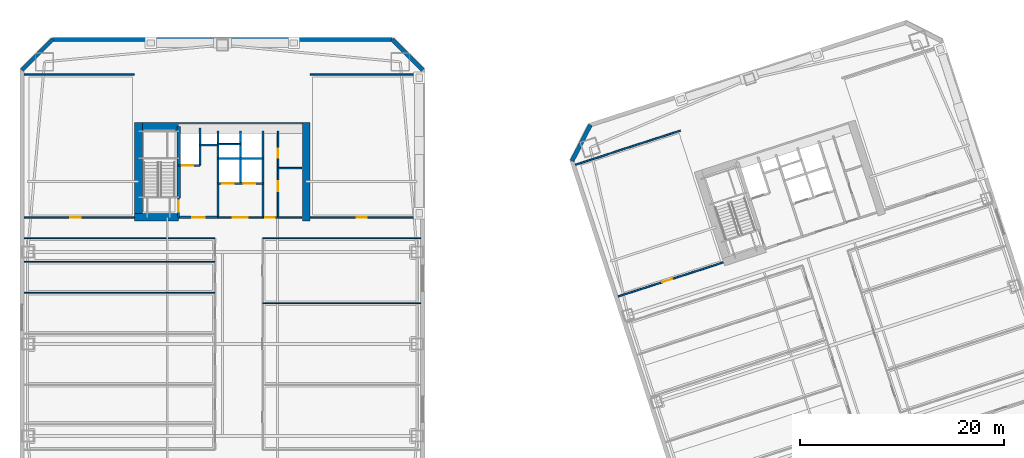
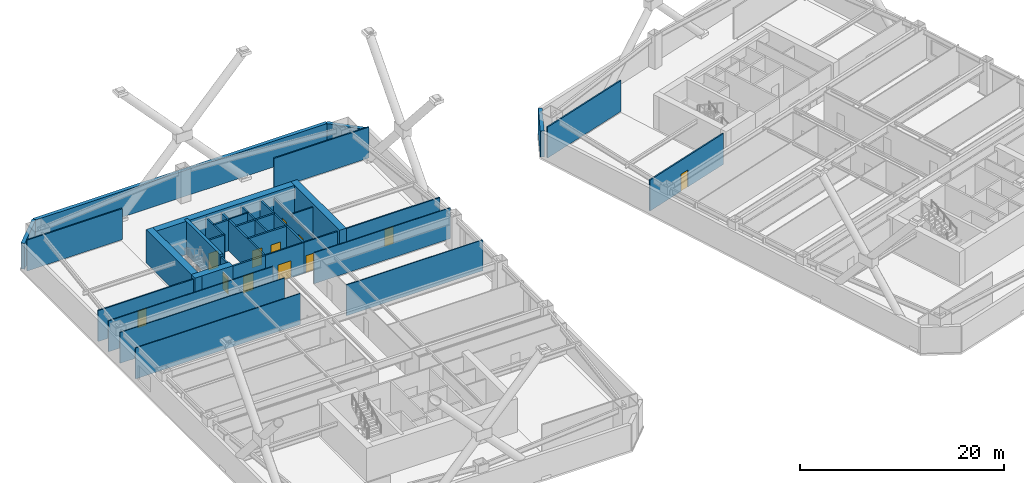
# One storey, part 6 of 18: 35 walls, 12 doors, 12 openings.
"""IFC4 building model written with IfcOpenShell, lengths in metres."""

from ifc_helpers import new_model, si_unit, direction, frame, frame_2d, origin, place, context, subcontext, project, spatial, rectangle, extrude, material, layer, layer_set, type_object, element, fill, save


model = new_model("IFC4")

# Units and contexts
model_context = context("Model", 3, precision=1e-05, world=origin(), true_north=direction((0.0, 1.0)))
body_context = subcontext(model_context, "Body", "Model", "MODEL_VIEW")
ifc_project = project(units=[si_unit("LENGTHUNIT", "METRE"), si_unit("AREAUNIT", "SQUARE_METRE"), si_unit("VOLUMEUNIT", "CUBIC_METRE"), si_unit("PLANEANGLEUNIT", "RADIAN"), si_unit("MASSUNIT", "GRAM", prefix="KILO")], contexts=[model_context])

# Site, building, storey
site_placement = place(None, origin())
site = spatial("IfcSite", under=ifc_project, at=site_placement, CompositionType="ELEMENT")
building_placement = place(site_placement, origin())
building = spatial("IfcBuilding", under=site, at=building_placement, Name="Qiaolan Cultural Towers", CompositionType="ELEMENT")
storey_placement = place(building_placement, frame((0.0, 0.0, 42.0)))
storey = spatial("IfcBuildingStorey", under=building, at=storey_placement, Name="L09", CompositionType="ELEMENT", Elevation=42.0)

# Walls
ifc_material_1 = material(Name="Concrete C50", Category="concrete")
ifc_layer_1 = layer(ifc_material_1, 0.35009765625)
ifc_layer_set_1 = layer_set([ifc_layer_1], Name="Concrete C50")
wall_type_1 = type_object("IfcWallType", Name="WL-CORE-350", PredefinedType="SHEAR", material=ifc_layer_set_1)
wall_1_placement = place(storey_placement, frame((25.719970703125, 48.300048828125, 0.0), z_axis=(0.0, 0.0, 1.0), x_axis=(0.0, 1.0, 0.0)))
element("IfcWall", 1, at=wall_1_placement, inside=storey, type_object=wall_type_1, Name="L09 T1-CN Stair Core Dividing Web", PredefinedType="SHEAR", context=body_context, shape_type="SweptSolid", body=[
    extrude(rectangle(XDim=6.97998046875, YDim=0.35009765625, at=frame_2d((3.489990234375, 0.0))), origin(), (0.0, 0.0, 1.0), 4.0),
])
ifc_material_2 = material(Name="Concrete C60", Category="concrete")
ifc_layer_2 = layer(ifc_material_2, 0.75)
ifc_layer_set_2 = layer_set([ifc_layer_2], Name="Concrete C60")
wall_type_2 = type_object("IfcWallType", Name="WL-CORE-750", PredefinedType="SHEAR", material=ifc_layer_set_2)
wall_2_placement = place(storey_placement, frame((21.425048828125, 55.280029296875, 0.0), z_axis=(0.0, 0.0, 1.0), x_axis=(1.0, 0.0, 0.0)))
element("IfcWall", 2, at=wall_2_placement, inside=storey, type_object=wall_type_2, Name="L09 T1-CN Outer Core Shear Wall", PredefinedType="SHEAR", context=body_context, shape_type="SweptSolid", body=[
    extrude(rectangle(XDim=17.14990234375, YDim=0.75, at=frame_2d((8.574951171875, 0.0))), origin(), (0.0, 0.0, 1.0), 4.0),
])
for number, where, z_axis, x_axis, name in (
    (3, (21.800048828125, 46.02490234375, 0.0), (0.0, 0.0, 1.0), (0.0, 1.0, 0.0), "L09 T1-CN West Core Shear Wall"),
    (4, (38.199951171875, 46.02490234375, 0.0), (0.0, 0.0, 1.0), (0.0, 1.0, 0.0), "L09 T1-CN East Core Shear Wall"),
):
    element("IfcWall", number, at=place(storey_placement, frame(where, z_axis=z_axis, x_axis=x_axis)), inside=storey, type_object=wall_type_2, Name=name, PredefinedType="SHEAR", context=body_context, shape_type="SweptSolid", body=[
        extrude(rectangle(XDim=9.630126953125, YDim=0.75, at=frame_2d((4.81494140625, 0.0))), origin(), (0.0, 0.0, 1.0), 4.0),
    ])
wall_3_placement = place(storey_placement, frame((21.425048828125, 46.39990234375, 0.0), z_axis=(0.0, 0.0, 1.0), x_axis=(1.0, 0.0, 0.0)))
element("IfcWall", 5, at=wall_3_placement, inside=storey, type_object=wall_type_2, Name="L09 T1-CN Stair Front Shear Wall", PredefinedType="SHEAR", context=body_context, shape_type="SweptSolid", body=[
    extrude(rectangle(XDim=4.294921875, YDim=0.75, at=frame_2d((2.1474609375, 0.0))), origin(), (0.0, 0.0, 1.0), 4.0),
])
ifc_material_3 = material(Name="Precast Concrete C50 Honed Stone Pier", Category="masonry")
ifc_layer_3 = layer(ifc_material_3, 0.39990234375)
ifc_layer_set_3 = layer_set([ifc_layer_3], Name="Precast Concrete C50 Honed Stone Pier")
wall_type_3 = type_object("IfcWallType", Name="WL-EXT-PIER-400", PredefinedType="SOLIDWALL", material=ifc_layer_set_3)
wall_4_placement = place(storey_placement, frame((10.39990234375, 60.800048828125, 0.0), z_axis=(0.0, 0.0, 1.0), x_axis=(0.707106781187, 0.707106781187, 0.0)))
element("IfcWall", 6, at=wall_4_placement, inside=storey, type_object=wall_type_3, Name="L09 West Tower Precast Pier Facade Wall F2", PredefinedType="SOLIDWALL", context=body_context, shape_type="SweptSolid", body=[
    extrude(rectangle(XDim=4.24267578125, YDim=0.39990234375, at=frame_2d((2.121337890625, 0.0))), origin(), (0.0, 0.0, 1.0), 3.10009765625),
])
wall_5_placement = place(storey_placement, frame((13.39990234375, 63.800048828125, 0.0), z_axis=(0.0, 0.0, 1.0), x_axis=(1.0, 0.0, 0.0)))
element("IfcWall", 7, at=wall_5_placement, inside=storey, type_object=wall_type_3, Name="L09 West Tower Precast Pier Facade Wall F3", PredefinedType="SOLIDWALL", context=body_context, shape_type="SweptSolid", body=[
    extrude(rectangle(XDim=33.2001953125, YDim=0.39990234375, at=frame_2d((16.60009765625, 0.0))), origin(), (0.0, 0.0, 1.0), 3.10009765625),
])
wall_6_placement = place(storey_placement, frame((46.60009765625, 63.800048828125, 0.0), z_axis=(0.0, 0.0, 1.0), x_axis=(0.707106781187, -0.707106781187, 0.0)))
element("IfcWall", 8, at=wall_6_placement, inside=storey, type_object=wall_type_3, Name="L09 West Tower Precast Pier Facade Wall F4", PredefinedType="SOLIDWALL", context=body_context, shape_type="SweptSolid", body=[
    extrude(rectangle(XDim=4.24267578125, YDim=0.39990234375, at=frame_2d((2.121337890625, 0.0))), origin(), (0.0, 0.0, 1.0), 3.10009765625),
])
wall_7_placement = place(storey_placement, frame((64.20458984375, 51.905029296875, 0.0), z_axis=(0.0, 0.0, 1.0), x_axis=(0.453958106755, 0.891023028497, 0.0)))
element("IfcWall", 9, at=wall_7_placement, inside=storey, type_object=wall_type_3, Name="L09 East Tower Precast Pier Facade Wall F2", PredefinedType="SOLIDWALL", context=body_context, shape_type="SweptSolid", body=[
    extrude(rectangle(XDim=3.9599609375, YDim=0.39990234375, at=frame_2d((1.97998046875, 0.0))), origin(), (0.0, 0.0, 1.0), 3.10009765625),
])

# Wall, opening, door
ifc_material_4 = material(Name="Concrete C35 Fire Wall", Category="concrete")
ifc_layer_4 = layer(ifc_material_4, 0.199951171875)
ifc_layer_set_4 = layer_set([ifc_layer_4], Name="Concrete C35 Fire Wall")
wall_type_4 = type_object("IfcWallType", Name="WL-FIRE-200", PredefinedType="PARTITIONING", material=ifc_layer_set_4)
wall_8_placement = place(storey_placement, frame((25.719970703125, 46.39990234375, 0.0), z_axis=(0.0, 0.0, 1.0), x_axis=(0.0, 1.0, 0.0)))
wall_8 = element("IfcWall", 10, at=wall_8_placement, inside=storey, type_object=wall_type_4, Name="L09 T1-CN Smokeproof Stair Entry Wall", PredefinedType="PARTITIONING", context=body_context, shape_type="SweptSolid", body=[
    extrude(rectangle(XDim=1.900146484375, YDim=0.199951171875, at=frame_2d((0.9501953125, 0.0))), origin(), (0.0, 0.0, 1.0), 3.705078125),
])
opening_1_placement = place(wall_8_placement, frame((0.52001953125, 0.0, 0.0)))
opening_1 = element("IfcOpeningElement", 11, at=opening_1_placement, cuts=wall_8, Name="Opening FD-04", PredefinedType="OPENING", context=body_context, shape_type="SweptSolid", body=[
    extrude(rectangle(XDim=1.10009765625, YDim=2.050048828125, at=frame_2d((0.550048828125, 1.02490234375))), frame((0.0, 0.10986328125, 0.0), z_axis=(0.0, -1.0, 0.0), x_axis=(1.0, 0.0, 0.0)), (0.0, 0.0, 1.0), 0.219970703125),
])
ifc_material_5 = material(Name="Galvanized Steel Command Fire Door", Category="steel")
door_type_1 = type_object("IfcDoorType", Name="DR-FD90-1100", OperationType="NOTDEFINED", PredefinedType="DOOR", material=ifc_material_5)
door_1_placement = place(opening_1_placement, origin())
door_1 = element("IfcDoor", 12, at=door_1_placement, inside=storey, type_object=door_type_1, Name="L09 ST-W2 Smokeproof Stair Fire Door", OperationType="SINGLE_SWING_LEFT", OverallHeight=2.050048828125, OverallWidth=1.10009765625, PredefinedType="DOOR", context=body_context, shape_type="SweptSolid", body=[
    extrude(rectangle(XDim=1.10009765625, YDim=2.050048828125, at=frame_2d((0.550048828125, 1.02490234375))), frame((0.0, 0.02490234375, 0.0), z_axis=(0.0, -1.0, 0.0), x_axis=(1.0, 0.0, 0.0)), (0.0, 0.0, 1.0), 0.050048828125),
])
fill(opening_1, door_1)

# Wall
wall_9_placement = place(storey_placement, frame((29.550048828125, 46.39990234375, 0.0), z_axis=(0.0, 0.0, 1.0), x_axis=(0.0, 1.0, 0.0)))
element("IfcWall", 13, at=wall_9_placement, inside=storey, type_object=wall_type_4, Name="L09 T1-CN Firefighting Zone Wall", PredefinedType="PARTITIONING", context=body_context, shape_type="SweptSolid", body=[
    extrude(rectangle(XDim=8.43017578125, YDim=0.199951171875, at=frame_2d((4.215087890625, 0.0))), origin(), (0.0, 0.0, 1.0), 3.705078125),
])

# Wall, opening, door
wall_10_placement = place(storey_placement, frame((25.719970703125, 46.39990234375, 0.0), z_axis=(0.0, 0.0, 1.0), x_axis=(1.0, 0.0, 0.0)))
wall_10 = element("IfcWall", 14, at=wall_10_placement, inside=storey, type_object=wall_type_4, Name="L09 T1-CN Firefighting Lobby Front Wall", PredefinedType="PARTITIONING", context=body_context, shape_type="SweptSolid", body=[
    extrude(rectangle(XDim=3.830078125, YDim=0.199951171875, at=frame_2d((1.9150390625, 0.0))), origin(), (0.0, 0.0, 1.0), 3.705078125),
])
opening_2_placement = place(wall_10_placement, frame((1.35009765625, 0.0, 0.0)))
opening_2 = element("IfcOpeningElement", 15, at=opening_2_placement, cuts=wall_10, Name="Opening FD-03", PredefinedType="OPENING", context=body_context, shape_type="SweptSolid", body=[
    extrude(rectangle(XDim=1.199951171875, YDim=2.050048828125, at=frame_2d((0.60009765625, 1.02490234375))), frame((0.0, 0.10986328125, 0.0), z_axis=(0.0, -1.0, 0.0), x_axis=(1.0, 0.0, 0.0)), (0.0, 0.0, 1.0), 0.219970703125),
])
ifc_material_6 = material(Name="Galvanized Steel Smokeproof Lobby Fire Door", Category="steel")
door_type_2 = type_object("IfcDoorType", Name="DR-FD90-1200", OperationType="NOTDEFINED", PredefinedType="DOOR", material=ifc_material_6)
door_2_placement = place(opening_2_placement, origin())
door_2 = element("IfcDoor", 16, at=door_2_placement, inside=storey, type_object=door_type_2, Name="L09 FFL-W2 Firefighting Lobby Fire Door", OperationType="SINGLE_SWING_LEFT", OverallHeight=2.050048828125, OverallWidth=1.199951171875, PredefinedType="DOOR", context=body_context, shape_type="SweptSolid", body=[
    extrude(rectangle(XDim=1.199951171875, YDim=2.050048828125, at=frame_2d((0.60009765625, 1.02490234375))), frame((0.0, 0.02490234375, 0.0), z_axis=(0.0, -1.0, 0.0), x_axis=(1.0, 0.0, 0.0)), (0.0, 0.0, 1.0), 0.050048828125),
])
fill(opening_2, door_2)

wall_11_placement = place(storey_placement, frame((25.719970703125, 51.449951171875, 0.0), z_axis=(0.0, 0.0, 1.0), x_axis=(1.0, 0.0, 0.0)))
wall_11 = element("IfcWall", 17, at=wall_11_placement, inside=storey, type_object=wall_type_4, Name="L09 T1-CN Firefighting Shaft Front Wall", PredefinedType="PARTITIONING", context=body_context, shape_type="SweptSolid", body=[
    extrude(rectangle(XDim=2.10009765625, YDim=0.199951171875, at=frame_2d((1.050048828125, 0.0))), origin(), (0.0, 0.0, 1.0), 3.705078125),
])
opening_3_placement = place(wall_11_placement, frame((0.35009765625, 0.0, 0.0)))
opening_3 = element("IfcOpeningElement", 18, at=opening_3_placement, cuts=wall_11, Name="Opening LD-01", PredefinedType="OPENING", context=body_context, shape_type="SweptSolid", body=[
    extrude(rectangle(XDim=1.10009765625, YDim=2.050048828125, at=frame_2d((0.550048828125, 1.02490234375))), frame((0.0, 0.10986328125, 0.0), z_axis=(0.0, -1.0, 0.0), x_axis=(1.0, 0.0, 0.0)), (0.0, 0.0, 1.0), 0.219970703125),
])
ifc_material_7 = material(Name="Brushed Stainless Steel S30408 Centre-Parting Lift Landing Door", Category="steel")
door_type_3 = type_object("IfcDoorType", Name="DR-LIFT-1100", OperationType="NOTDEFINED", PredefinedType="DOOR", material=ifc_material_7)
door_3_placement = place(opening_3_placement, origin())
door_3 = element("IfcDoor", 19, at=door_3_placement, inside=storey, type_object=door_type_3, Name="L09 FFL-W2 Firefighting Lift Landing Door", OperationType="DOUBLE_DOOR_SLIDING", OverallHeight=2.050048828125, OverallWidth=1.10009765625, PredefinedType="DOOR", context=body_context, shape_type="SweptSolid", body=[
    extrude(rectangle(XDim=1.10009765625, YDim=2.050048828125, at=frame_2d((0.550048828125, 1.02490234375))), frame((0.0, 0.02490234375, 0.0), z_axis=(0.0, -1.0, 0.0), x_axis=(1.0, 0.0, 0.0)), (0.0, 0.0, 1.0), 0.050048828125),
])
fill(opening_3, door_3)

# Walls
wall_12_placement = place(storey_placement, frame((27.820068359375, 51.449951171875, 0.0), z_axis=(0.0, 0.0, 1.0), x_axis=(0.0, 1.0, 0.0)))
element("IfcWall", 20, at=wall_12_placement, inside=storey, type_object=wall_type_4, Name="L09 T1-CN Firefighting Hoistway East Wall", PredefinedType="PARTITIONING", context=body_context, shape_type="SweptSolid", body=[
    extrude(rectangle(XDim=3.699951171875, YDim=0.199951171875, at=frame_2d((1.85009765625, 0.0))), origin(), (0.0, 0.0, 1.0), 3.705078125),
])
wall_13_placement = place(storey_placement, frame((27.820068359375, 53.47998046875, 0.0), z_axis=(0.0, 0.0, 1.0), x_axis=(1.0, 0.0, 0.0)))
element("IfcWall", 21, at=wall_13_placement, inside=storey, type_object=wall_type_4, Name="L09 T1-CN Pressurization Shaft Front Wall", PredefinedType="PARTITIONING", context=body_context, shape_type="SweptSolid", body=[
    extrude(rectangle(XDim=1.72998046875, YDim=0.199951171875, at=frame_2d((0.864990234375, 0.0))), origin(), (0.0, 0.0, 1.0), 3.705078125),
])
wall_14_placement = place(storey_placement, frame((33.949951171875, 46.39990234375, 0.0), z_axis=(0.0, 0.0, 1.0), x_axis=(0.0, 1.0, 0.0)))
element("IfcWall", 22, at=wall_14_placement, inside=storey, type_object=wall_type_4, Name="L09 T1-CN Lift Core East Wall", PredefinedType="PARTITIONING", context=body_context, shape_type="SweptSolid", body=[
    extrude(rectangle(XDim=8.43017578125, YDim=0.199951171875, at=frame_2d((4.215087890625, 0.0))), origin(), (0.0, 0.0, 1.0), 3.705078125),
])

# Wall, openings, doors
wall_15_placement = place(storey_placement, frame((29.550048828125, 49.719970703125, 0.0), z_axis=(0.0, 0.0, 1.0), x_axis=(1.0, 0.0, 0.0)))
wall_15 = element("IfcWall", 23, at=wall_15_placement, inside=storey, type_object=wall_type_4, Name="L09 T1-CN Passenger Lift Shaft Front Wall", PredefinedType="PARTITIONING", context=body_context, shape_type="SweptSolid", body=[
    extrude(rectangle(XDim=4.39990234375, YDim=0.199951171875, at=frame_2d((2.199951171875, 0.0))), origin(), (0.0, 0.0, 1.0), 3.705078125),
])
opening_4_placement = place(wall_15_placement, frame((0.449951171875, 0.0, 0.0)))
opening_4 = element("IfcOpeningElement", 24, at=opening_4_placement, cuts=wall_15, Name="Opening LD-01", PredefinedType="OPENING", context=body_context, shape_type="SweptSolid", body=[
    extrude(rectangle(XDim=1.10009765625, YDim=2.050048828125, at=frame_2d((0.550048828125, 1.02490234375))), frame((0.0, 0.10986328125, 0.0), z_axis=(0.0, -1.0, 0.0), x_axis=(1.0, 0.0, 0.0)), (0.0, 0.0, 1.0), 0.219970703125),
])
opening_5_placement = place(wall_15_placement, frame((2.550048828125, 0.0, 0.0)))
opening_5 = element("IfcOpeningElement", 25, at=opening_5_placement, cuts=wall_15, Name="Opening LD-01", PredefinedType="OPENING", context=body_context, shape_type="SweptSolid", body=[
    extrude(rectangle(XDim=1.10009765625, YDim=2.050048828125, at=frame_2d((0.550048828125, 1.02490234375))), frame((0.0, 0.10986328125, 0.0), z_axis=(0.0, -1.0, 0.0), x_axis=(1.0, 0.0, 0.0)), (0.0, 0.0, 1.0), 0.219970703125),
])
door_4_placement = place(opening_4_placement, origin())
door_4 = element("IfcDoor", 26, at=door_4_placement, inside=storey, type_object=door_type_3, Name="L09 Passenger Lift 1 Landing Door", OperationType="DOUBLE_DOOR_SLIDING", OverallHeight=2.050048828125, OverallWidth=1.10009765625, PredefinedType="DOOR", context=body_context, shape_type="SweptSolid", body=[
    extrude(rectangle(XDim=1.10009765625, YDim=2.050048828125, at=frame_2d((0.550048828125, 1.02490234375))), frame((0.0, 0.02490234375, 0.0), z_axis=(0.0, -1.0, 0.0), x_axis=(1.0, 0.0, 0.0)), (0.0, 0.0, 1.0), 0.050048828125),
])
fill(opening_4, door_4)
door_5_placement = place(opening_5_placement, origin())
door_5 = element("IfcDoor", 27, at=door_5_placement, inside=storey, type_object=door_type_3, Name="L09 Passenger Lift 2 Landing Door", OperationType="DOUBLE_DOOR_SLIDING", OverallHeight=2.050048828125, OverallWidth=1.10009765625, PredefinedType="DOOR", context=body_context, shape_type="SweptSolid", body=[
    extrude(rectangle(XDim=1.10009765625, YDim=2.050048828125, at=frame_2d((0.550048828125, 1.02490234375))), frame((0.0, 0.02490234375, 0.0), z_axis=(0.0, -1.0, 0.0), x_axis=(1.0, 0.0, 0.0)), (0.0, 0.0, 1.0), 0.050048828125),
])
fill(opening_5, door_5)

# Walls
wall_16_placement = place(storey_placement, frame((31.780029296875, 49.719970703125, 0.0), z_axis=(0.0, 0.0, 1.0), x_axis=(0.0, 1.0, 0.0)))
element("IfcWall", 28, at=wall_16_placement, inside=storey, type_object=wall_type_4, Name="L09 T1-CN Lift Shaft Divider Wall", PredefinedType="PARTITIONING", context=body_context, shape_type="SweptSolid", body=[
    extrude(rectangle(XDim=5.110107421875, YDim=0.199951171875, at=frame_2d((2.55517578125, 0.0))), origin(), (0.0, 0.0, 1.0), 3.705078125),
])
wall_17_placement = place(storey_placement, frame((29.550048828125, 52.14990234375, 0.0), z_axis=(0.0, 0.0, 1.0), x_axis=(1.0, 0.0, 0.0)))
element("IfcWall", 29, at=wall_17_placement, inside=storey, type_object=wall_type_4, Name="L09 T1-CN Passenger Lift Shaft Back Wall", PredefinedType="PARTITIONING", context=body_context, shape_type="SweptSolid", body=[
    extrude(rectangle(XDim=4.39990234375, YDim=0.199951171875, at=frame_2d((2.199951171875, 0.0))), origin(), (0.0, 0.0, 1.0), 3.705078125),
])
ifc_material_8 = material(Name="Acoustic Double-Glazed Partition Frame", Category="glass")
ifc_layer_5 = layer(ifc_material_8, 0.10009765625)
ifc_layer_set_5 = layer_set([ifc_layer_5], Name="Acoustic Double-Glazed Partition Frame")
wall_type_5 = type_object("IfcWallType", Name="WL-GLAZED-100", PredefinedType="MOVABLE", material=ifc_layer_set_5)
wall_18_placement = place(storey_placement, frame((10.60009765625, 44.35009765625, 0.0), z_axis=(0.0, 0.0, 1.0), x_axis=(1.0, 0.0, 0.0)))
element("IfcWall", 30, at=wall_18_placement, inside=storey, type_object=wall_type_5, Name="L09 T1 North Corridor Left Wall", PredefinedType="MOVABLE", context=body_context, shape_type="SweptSolid", body=[
    extrude(rectangle(XDim=18.6748046875, YDim=0.10009765625, at=frame_2d((9.33740234375, 0.0))), origin(), (0.0, 0.0, 1.0), 3.705078125),
])
wall_19_placement = place(storey_placement, frame((33.925048828125, 44.35009765625, 0.0), z_axis=(0.0, 0.0, 1.0), x_axis=(1.0, 0.0, 0.0)))
element("IfcWall", 31, at=wall_19_placement, inside=storey, type_object=wall_type_5, Name="L09 T1 North Corridor Right Wall", PredefinedType="MOVABLE", context=body_context, shape_type="SweptSolid", body=[
    extrude(rectangle(XDim=15.474853515625, YDim=0.10009765625, at=frame_2d((7.7373046875, 0.0))), origin(), (0.0, 0.0, 1.0), 3.705078125),
])
for number, where, z_axis, x_axis, name in (
    (32, (10.60009765625, 39.0, 0.0), (0.0, 0.0, 1.0), (1.0, 0.0, 0.0), "L09 T1 West Partition 4"),
    (33, (10.60009765625, 42.06591796875, 0.0), (0.0, 0.0, 1.0), (1.0, 0.0, 0.0), "L09 T1 West Partition 5"),
):
    element("IfcWall", number, at=place(storey_placement, frame(where, z_axis=z_axis, x_axis=x_axis)), inside=storey, type_object=wall_type_5, Name=name, PredefinedType="MOVABLE", context=body_context, shape_type="SweptSolid", body=[
        extrude(rectangle(XDim=18.6748046875, YDim=0.10009765625, at=frame_2d((9.33740234375, 0.0))), origin(), (0.0, 0.0, 1.0), 3.705078125),
    ])
wall_20_placement = place(storey_placement, frame((33.925048828125, 38.0, 0.0), z_axis=(0.0, 0.0, 1.0), x_axis=(1.0, 0.0, 0.0)))
element("IfcWall", 34, at=wall_20_placement, inside=storey, type_object=wall_type_5, Name="L09 T1 East Partition 2", PredefinedType="MOVABLE", context=body_context, shape_type="SweptSolid", body=[
    extrude(rectangle(XDim=15.474853515625, YDim=0.10009765625, at=frame_2d((7.7373046875, 0.0))), origin(), (0.0, 0.0, 1.0), 3.705078125),
])

# Wall, opening, door
ifc_material_9 = material(Name="Autoclaved Aerated Concrete Block B06", Category="concrete")
ifc_layer_6 = layer(ifc_material_9, 0.14990234375)
ifc_layer_set_6 = layer_set([ifc_layer_6], Name="Autoclaved Aerated Concrete Block B06")
wall_type_6 = type_object("IfcWallType", Name="WL-PART-150", PredefinedType="PARTITIONING", material=ifc_layer_set_6)
wall_21_placement = place(storey_placement, frame((29.550048828125, 46.39990234375, 0.0), z_axis=(0.0, 0.0, 1.0), x_axis=(1.0, 0.0, 0.0)))
wall_21 = element("IfcWall", 35, at=wall_21_placement, inside=storey, type_object=wall_type_6, Name="L09 T1-CN Passenger Lift Lobby Front Wall", PredefinedType="PARTITIONING", context=body_context, shape_type="SweptSolid", body=[
    extrude(rectangle(XDim=4.39990234375, YDim=0.14990234375, at=frame_2d((2.199951171875, 0.0))), origin(), (0.0, 0.0, 1.0), 3.705078125),
])
opening_6_placement = place(wall_21_placement, frame((1.449951171875, 0.0, 0.0)))
opening_6 = element("IfcOpeningElement", 36, at=opening_6_placement, cuts=wall_21, Name="Opening FD-05", PredefinedType="OPENING", context=body_context, shape_type="SweptSolid", body=[
    extrude(rectangle(XDim=1.5, YDim=2.050048828125, at=frame_2d((0.75, 1.02490234375))), frame((0.0, 0.0849609375, 0.0), z_axis=(0.0, -1.0, 0.0), x_axis=(1.0, 0.0, 0.0)), (0.0, 0.0, 1.0), 0.169921875),
])
ifc_material_10 = material(Name="Painted Steel Lift Lobby Fire Door", Category="steel")
door_type_4 = type_object("IfcDoorType", Name="DR-FD60-1500", OperationType="NOTDEFINED", PredefinedType="DOOR", material=ifc_material_10)
door_6_placement = place(opening_6_placement, origin())
door_6 = element("IfcDoor", 37, at=door_6_placement, inside=storey, type_object=door_type_4, Name="L09 Passenger Lift Lobby Entrance", OperationType="SINGLE_SWING_LEFT", OverallHeight=2.050048828125, OverallWidth=1.5, PredefinedType="DOOR", context=body_context, shape_type="SweptSolid", body=[
    extrude(rectangle(XDim=1.5, YDim=2.050048828125, at=frame_2d((0.75, 1.02490234375))), frame((0.0, 0.02490234375, 0.0), z_axis=(0.0, -1.0, 0.0), x_axis=(1.0, 0.0, 0.0)), (0.0, 0.0, 1.0), 0.050048828125),
])
fill(opening_6, door_6)

# Wall
wall_22_placement = place(storey_placement, frame((29.550048828125, 53.550048828125, 0.0), z_axis=(0.0, 0.0, 1.0), x_axis=(1.0, 0.0, 0.0)))
element("IfcWall", 38, at=wall_22_placement, inside=storey, type_object=wall_type_6, Name="L09 T1-CN Core Rear Riser Split", PredefinedType="PARTITIONING", context=body_context, shape_type="SweptSolid", body=[
    extrude(rectangle(XDim=2.22998046875, YDim=0.14990234375, at=frame_2d((1.114990234375, 0.0))), origin(), (0.0, 0.0, 1.0), 3.705078125),
])

# Wall, opening, door
wall_23_placement = place(storey_placement, frame((33.949951171875, 46.39990234375, 0.0), z_axis=(0.0, 0.0, 1.0), x_axis=(1.0, 0.0, 0.0)))
wall_23 = element("IfcWall", 39, at=wall_23_placement, inside=storey, type_object=wall_type_6, Name="L09 T1-CN Sanitary Core Front Wall", PredefinedType="PARTITIONING", context=body_context, shape_type="SweptSolid", body=[
    extrude(rectangle(XDim=3.800048828125, YDim=0.14990234375, at=frame_2d((1.89990234375, 0.0))), origin(), (0.0, 0.0, 1.0), 3.705078125),
])
opening_7_placement = place(wall_23_placement, frame((0.219970703125, 0.0, 0.0)))
opening_7 = element("IfcOpeningElement", 40, at=opening_7_placement, cuts=wall_23, Name="Opening ID-05", PredefinedType="OPENING", context=body_context, shape_type="SweptSolid", body=[
    extrude(rectangle(XDim=0.949951171875, YDim=2.050048828125, at=frame_2d((0.47509765625, 1.02490234375))), frame((0.0, 0.0849609375, 0.0), z_axis=(0.0, -1.0, 0.0), x_axis=(1.0, 0.0, 0.0)), (0.0, 0.0, 1.0), 0.169921875),
])
ifc_material_11 = material(Name="Fire-Rated Laminate Accessible Core Door", Category="timber")
door_type_5 = type_object("IfcDoorType", Name="DR-INT-950", OperationType="NOTDEFINED", PredefinedType="DOOR", material=ifc_material_11)
door_7_placement = place(opening_7_placement, origin())
door_7 = element("IfcDoor", 41, at=door_7_placement, inside=storey, type_object=door_type_5, Name="L09 Sanitary Lobby Door", OperationType="SINGLE_SWING_LEFT", OverallHeight=2.050048828125, OverallWidth=0.949951171875, PredefinedType="DOOR", context=body_context, shape_type="SweptSolid", body=[
    extrude(rectangle(XDim=0.949951171875, YDim=2.050048828125, at=frame_2d((0.47509765625, 1.02490234375))), frame((0.0, 0.02490234375, 0.0), z_axis=(0.0, -1.0, 0.0), x_axis=(1.0, 0.0, 0.0)), (0.0, 0.0, 1.0), 0.050048828125),
])
fill(opening_7, door_7)

# Wall, openings, doors
wall_24_placement = place(storey_placement, frame((35.449951171875, 46.39990234375, 0.0), z_axis=(0.0, 0.0, 1.0), x_axis=(0.0, 1.0, 0.0)))
wall_24 = element("IfcWall", 42, at=wall_24_placement, inside=storey, type_object=wall_type_6, Name="L09 T1-CN Washroom Split Wall", PredefinedType="PARTITIONING", context=body_context, shape_type="SweptSolid", body=[
    extrude(rectangle(XDim=8.43017578125, YDim=0.14990234375, at=frame_2d((4.215087890625, 0.0))), origin(), (0.0, 0.0, 1.0), 3.344970703125),
])
opening_8_placement = place(wall_24_placement, frame((2.550048828125, 0.0, 0.0)))
opening_8 = element("IfcOpeningElement", 43, at=opening_8_placement, cuts=wall_24, Name="Opening ID-05", PredefinedType="OPENING", context=body_context, shape_type="SweptSolid", body=[
    extrude(rectangle(XDim=0.949951171875, YDim=2.050048828125, at=frame_2d((0.47509765625, 1.02490234375))), frame((0.0, 0.0849609375, 0.0), z_axis=(0.0, -1.0, 0.0), x_axis=(1.0, 0.0, 0.0)), (0.0, 0.0, 1.0), 0.169921875),
])
opening_9_placement = place(wall_24_placement, frame((5.800048828125, 0.0, 0.0)))
opening_9 = element("IfcOpeningElement", 44, at=opening_9_placement, cuts=wall_24, Name="Opening ID-06", PredefinedType="OPENING", context=body_context, shape_type="SweptSolid", body=[
    extrude(rectangle(XDim=0.89990234375, YDim=2.050048828125, at=frame_2d((0.449951171875, 1.02490234375))), frame((0.0, 0.0849609375, 0.0), z_axis=(0.0, -1.0, 0.0), x_axis=(1.0, 0.0, 0.0)), (0.0, 0.0, 1.0), 0.169921875),
])
ifc_material_12 = material(Name="Fire-Rated Laminate Core Service Door", Category="timber")
door_type_6 = type_object("IfcDoorType", Name="DR-INT-900", OperationType="NOTDEFINED", PredefinedType="DOOR", material=ifc_material_12)
door_8_placement = place(opening_9_placement, origin())
door_8 = element("IfcDoor", 45, at=door_8_placement, inside=storey, type_object=door_type_6, Name="L09 First-Aid Room Door", OperationType="SINGLE_SWING_RIGHT", OverallHeight=2.050048828125, OverallWidth=0.89990234375, PredefinedType="DOOR", context=body_context, shape_type="SweptSolid", body=[
    extrude(rectangle(XDim=0.89990234375, YDim=2.050048828125, at=frame_2d((0.449951171875, 1.02490234375))), frame((0.0, 0.02490234375, 0.0), z_axis=(0.0, -1.0, 0.0), x_axis=(1.0, 0.0, 0.0)), (0.0, 0.0, 1.0), 0.050048828125),
])
fill(opening_9, door_8)
door_9_placement = place(opening_8_placement, origin())
door_9 = element("IfcDoor", 46, at=door_9_placement, inside=storey, type_object=door_type_5, Name="L09 Accessible Washroom Door", OperationType="SINGLE_SWING_LEFT", OverallHeight=2.050048828125, OverallWidth=0.949951171875, PredefinedType="DOOR", context=body_context, shape_type="SweptSolid", body=[
    extrude(rectangle(XDim=0.949951171875, YDim=2.050048828125, at=frame_2d((0.47509765625, 1.02490234375))), frame((0.0, 0.02490234375, 0.0), z_axis=(0.0, -1.0, 0.0), x_axis=(1.0, 0.0, 0.0)), (0.0, 0.0, 1.0), 0.050048828125),
])
fill(opening_8, door_9)

# Walls
wall_25_placement = place(storey_placement, frame((35.449951171875, 51.199951171875, 0.0), z_axis=(0.0, 0.0, 1.0), x_axis=(1.0, 0.0, 0.0)))
element("IfcWall", 47, at=wall_25_placement, inside=storey, type_object=wall_type_6, Name="L09 T1-CN First-Aid Wall", PredefinedType="PARTITIONING", context=body_context, shape_type="SweptSolid", body=[
    extrude(rectangle(XDim=2.300048828125, YDim=0.14990234375, at=frame_2d((1.14990234375, 0.0))), origin(), (0.0, 0.0, 1.0), 3.705078125),
])
wall_26_placement = place(storey_placement, frame((10.60009765625, 60.35009765625, 0.0), z_axis=(0.0, 0.0, 1.0), x_axis=(1.0, 0.0, 0.0)))
element("IfcWall", 48, at=wall_26_placement, inside=storey, type_object=wall_type_6, Name="L09 T1 Flank Wall FLK-NW", PredefinedType="PARTITIONING", context=body_context, shape_type="SweptSolid", body=[
    extrude(rectangle(XDim=10.7998046875, YDim=0.14990234375, at=frame_2d((5.39990234375, 0.0))), origin(), (0.0, 0.0, 1.0), 3.705078125),
])

# Wall, opening, door
wall_27_placement = place(storey_placement, frame((10.60009765625, 46.39990234375, 0.0), z_axis=(0.0, 0.0, 1.0), x_axis=(1.0, 0.0, 0.0)))
wall_27 = element("IfcWall", 49, at=wall_27_placement, inside=storey, type_object=wall_type_6, Name="L09 T1 Flank Front FLK-NW", PredefinedType="PARTITIONING", context=body_context, shape_type="SweptSolid", body=[
    extrude(rectangle(XDim=10.7998046875, YDim=0.14990234375, at=frame_2d((5.39990234375, 0.0))), origin(), (0.0, 0.0, 1.0), 3.705078125),
])
opening_10_placement = place(wall_27_placement, frame((4.535888671875, 0.0, 0.0)))
opening_10 = element("IfcOpeningElement", 50, at=opening_10_placement, cuts=wall_27, Name="Opening ID-04", PredefinedType="OPENING", context=body_context, shape_type="SweptSolid", body=[
    extrude(rectangle(XDim=1.0, YDim=2.050048828125, at=frame_2d((0.5, 1.02490234375))), frame((0.0, 0.0849609375, 0.0), z_axis=(0.0, -1.0, 0.0), x_axis=(1.0, 0.0, 0.0)), (0.0, 0.0, 1.0), 0.169921875),
])
ifc_material_13 = material(Name="Oak Veneer Acoustic Office Door", Category="timber")
door_type_7 = type_object("IfcDoorType", Name="DR-INT-1000", OperationType="NOTDEFINED", PredefinedType="DOOR", material=ifc_material_13)
door_10_placement = place(opening_10_placement, origin())
door_10 = element("IfcDoor", 51, at=door_10_placement, inside=storey, type_object=door_type_7, Name="L09 T1 Corner Studio Door", OperationType="SINGLE_SWING_LEFT", OverallHeight=2.050048828125, OverallWidth=1.0, PredefinedType="DOOR", context=body_context, shape_type="SweptSolid", body=[
    extrude(rectangle(XDim=1.0, YDim=2.050048828125, at=frame_2d((0.5, 1.02490234375))), frame((0.0, 0.02490234375, 0.0), z_axis=(0.0, -1.0, 0.0), x_axis=(1.0, 0.0, 0.0)), (0.0, 0.0, 1.0), 0.050048828125),
])
fill(opening_10, door_10)

# Wall
wall_28_placement = place(storey_placement, frame((38.60009765625, 60.35009765625, 0.0), z_axis=(0.0, 0.0, 1.0), x_axis=(1.0, 0.0, 0.0)))
element("IfcWall", 52, at=wall_28_placement, inside=storey, type_object=wall_type_6, Name="L09 T1 Flank Wall FLK-NE", PredefinedType="PARTITIONING", context=body_context, shape_type="SweptSolid", body=[
    extrude(rectangle(XDim=10.7998046875, YDim=0.14990234375, at=frame_2d((5.39990234375, 0.0))), origin(), (0.0, 0.0, 1.0), 3.705078125),
])

# Wall, opening, door
wall_29_placement = place(storey_placement, frame((38.60009765625, 46.39990234375, 0.0), z_axis=(0.0, 0.0, 1.0), x_axis=(1.0, 0.0, 0.0)))
wall_29 = element("IfcWall", 53, at=wall_29_placement, inside=storey, type_object=wall_type_6, Name="L09 T1 Flank Front FLK-NE", PredefinedType="PARTITIONING", context=body_context, shape_type="SweptSolid", body=[
    extrude(rectangle(XDim=10.7998046875, YDim=0.14990234375, at=frame_2d((5.39990234375, 0.0))), origin(), (0.0, 0.0, 1.0), 3.705078125),
])
opening_11_placement = place(wall_29_placement, frame((4.535888671875, 0.0, 0.0)))
opening_11 = element("IfcOpeningElement", 54, at=opening_11_placement, cuts=wall_29, Name="Opening ID-04", PredefinedType="OPENING", context=body_context, shape_type="SweptSolid", body=[
    extrude(rectangle(XDim=1.0, YDim=2.050048828125, at=frame_2d((0.5, 1.02490234375))), frame((0.0, 0.0849609375, 0.0), z_axis=(0.0, -1.0, 0.0), x_axis=(1.0, 0.0, 0.0)), (0.0, 0.0, 1.0), 0.169921875),
])
door_11_placement = place(opening_11_placement, origin())
door_11 = element("IfcDoor", 55, at=door_11_placement, inside=storey, type_object=door_type_7, Name="L09 T1 Corner Studio Door", OperationType="SINGLE_SWING_LEFT", OverallHeight=2.050048828125, OverallWidth=1.0, PredefinedType="DOOR", context=body_context, shape_type="SweptSolid", body=[
    extrude(rectangle(XDim=1.0, YDim=2.050048828125, at=frame_2d((0.5, 1.02490234375))), frame((0.0, 0.02490234375, 0.0), z_axis=(0.0, -1.0, 0.0), x_axis=(1.0, 0.0, 0.0)), (0.0, 0.0, 1.0), 0.050048828125),
])
fill(opening_11, door_11)

# Wall
wall_30_placement = place(storey_placement, frame((64.53369140625, 51.538818359375, 0.0), z_axis=(0.0, 0.0, 1.0), x_axis=(0.951056658866, 0.309016555588, 0.0)))
element("IfcWall", 56, at=wall_30_placement, inside=storey, type_object=wall_type_6, Name="L09 T2 Flank Wall FLK-NW", PredefinedType="PARTITIONING", context=body_context, shape_type="SweptSolid", body=[
    extrude(rectangle(XDim=10.800048828125, YDim=0.14990234375, at=frame_2d((5.39990234375, 0.0))), origin(), (0.0, 0.0, 1.0), 3.705078125),
])

# Wall, opening, door
wall_31_placement = place(storey_placement, frame((68.720947265625, 38.652099609375, 0.0), z_axis=(0.0, 0.0, 1.0), x_axis=(0.951056658866, 0.309016555588, 0.0)))
wall_31 = element("IfcWall", 57, at=wall_31_placement, inside=storey, type_object=wall_type_6, Name="L09 T2 Flank Front FLK-NW", PredefinedType="PARTITIONING", context=body_context, shape_type="SweptSolid", body=[
    extrude(rectangle(XDim=10.800048828125, YDim=0.14990234375, at=frame_2d((5.39990234375, 0.0))), origin(), (0.0, 0.0, 1.0), 3.705078125),
])
opening_12_placement = place(wall_31_placement, frame((4.535888671875, 0.0, 0.0)))
opening_12 = element("IfcOpeningElement", 58, at=opening_12_placement, cuts=wall_31, Name="Opening ID-04", PredefinedType="OPENING", context=body_context, shape_type="SweptSolid", body=[
    extrude(rectangle(XDim=1.0, YDim=2.050048828125, at=frame_2d((0.5, 1.02490234375))), frame((0.0, 0.0849609375, 0.0), z_axis=(0.0, -1.0, 0.0), x_axis=(1.0, 0.0, 0.0)), (0.0, 0.0, 1.0), 0.169921875),
])
door_12_placement = place(opening_12_placement, origin())
door_12 = element("IfcDoor", 59, at=door_12_placement, inside=storey, type_object=door_type_7, Name="L09 T2 Corner Studio Door", OperationType="SINGLE_SWING_LEFT", OverallHeight=2.050048828125, OverallWidth=1.0, PredefinedType="DOOR", context=body_context, shape_type="SweptSolid", body=[
    extrude(rectangle(XDim=1.0, YDim=2.050048828125, at=frame_2d((0.5, 1.02490234375))), frame((0.0, 0.02490234375, 0.0), z_axis=(0.0, -1.0, 0.0), x_axis=(1.0, 0.0, 0.0)), (0.0, 0.0, 1.0), 0.050048828125),
])
fill(opening_12, door_12)

save(model, "model.ifc")
